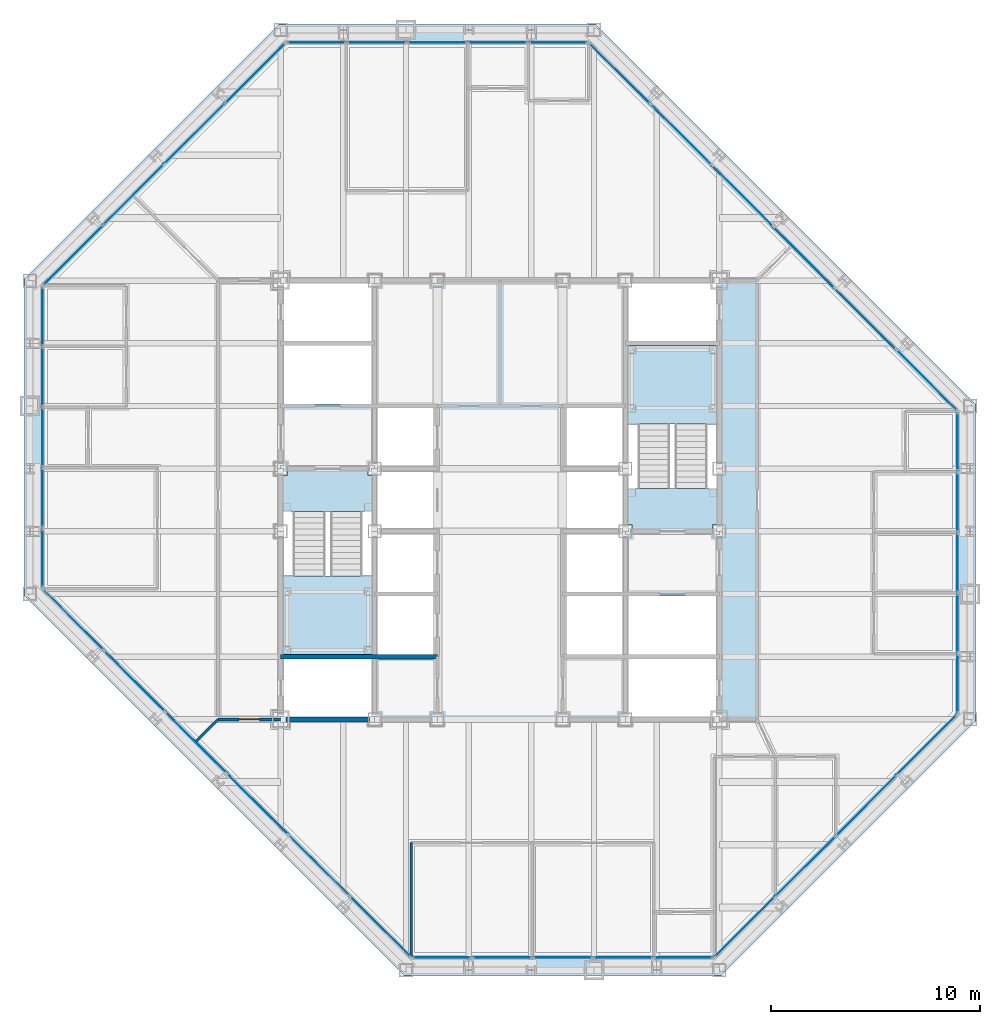
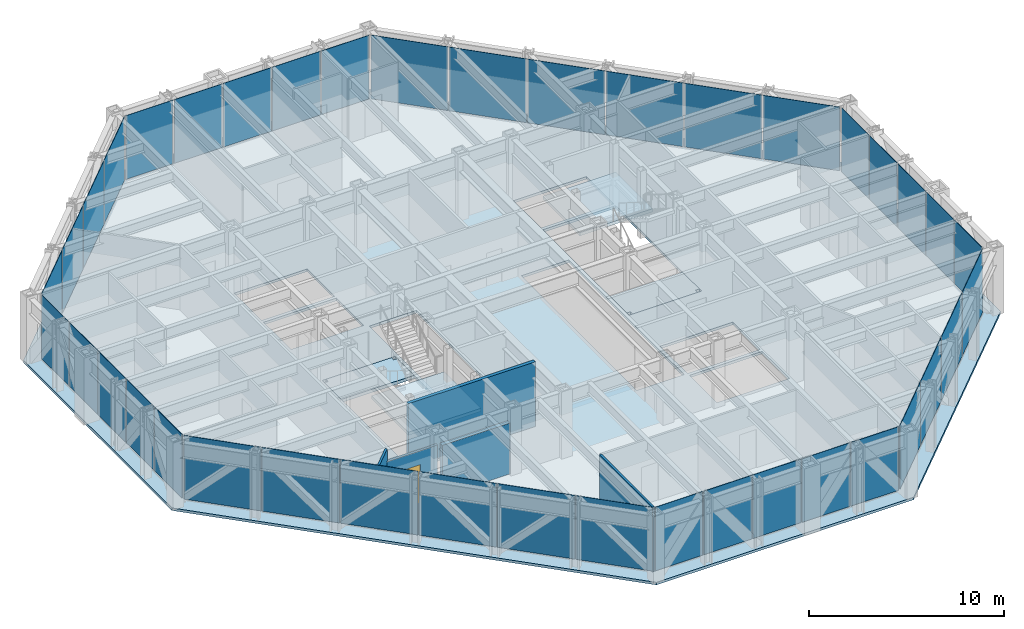
# One storey, part 10 of 16: 40 plates, 5 slabs, 5 walls, 1 door, 1 opening, 10 elements without a shape of their own.
"""IFC4 building model written with IfcOpenShell, lengths in metres."""

from ifc_helpers import new_model, si_unit, direction, frame, frame_2d, origin, origin_2d, place, context, subcontext, project, spatial, polyline, rectangle, outline, extrude, material, layer, layer_set, type_object, element, fill, aggregate, save


model = new_model("IFC4")

# Units and contexts
model_context = context("Model", 3, precision=1e-05, world=origin(), true_north=direction((0.0, 1.0)))
body_context = subcontext(model_context, "Body", "Model", "MODEL_VIEW")
ifc_project = project(units=[si_unit("LENGTHUNIT", "METRE"), si_unit("AREAUNIT", "SQUARE_METRE"), si_unit("VOLUMEUNIT", "CUBIC_METRE"), si_unit("PLANEANGLEUNIT", "RADIAN"), si_unit("MASSUNIT", "GRAM", prefix="KILO")], contexts=[model_context])

# Site, building, storey
site_placement = place(None, origin())
site = spatial("IfcSite", under=ifc_project, at=site_placement, CompositionType="ELEMENT")
building_placement = place(site_placement, origin())
building = spatial("IfcBuilding", under=site, at=building_placement, Name="Chuquiago Exchange Tower", CompositionType="ELEMENT")
storey_placement = place(building_placement, frame((0.0, 0.0, 209.699951171875)))
storey = spatial("IfcBuildingStorey", under=building, at=storey_placement, Name="L46", CompositionType="ELEMENT", Elevation=209.699951171875)

# Curtain wall, plate
ifc_material_1 = material(Name="Aluminium curtain wall system", Category="aluminium")
ifc_layer_1 = layer(ifc_material_1, 0.22509765625)
ifc_layer_set_1 = layer_set([ifc_layer_1], Name="CW2 office curtain wall")
curtain_wall_type_1 = type_object("IfcCurtainWallType", Name="CW2 office curtain wall", PredefinedType="NOTDEFINED", material=ifc_layer_set_1)
curtain_wall_1_placement = place(storey_placement, origin())
curtain_wall_1 = element("IfcCurtainWall", 1, at=curtain_wall_1_placement, inside=storey, type_object=curtain_wall_type_1, Name="CW2 curtain wall L46", PredefinedType="NOTDEFINED")
ifc_material_2 = material(Name="Glass, insulating unit", Category="glass")
ifc_layer_2 = layer(ifc_material_2, 0.030029296875)
ifc_layer_set_2 = layer_set([ifc_layer_2], Name="CW2-P panel 30")
plate_type_1 = type_object("IfcPlateType", Name="CW2-P panel 30", PredefinedType="CURTAIN_PANEL", material=ifc_layer_set_2)
plate_1_placement = place(storey_placement, frame((25.5, 0.60009765625, 0.06494140625), z_axis=(0.0, 0.0, 1.0), x_axis=(1.0, 0.0, 0.0)))
plate_1 = element("IfcPlate", 2, at=plate_1_placement, type_object=plate_type_1, Name="CW2 panel 3.1", PredefinedType="CURTAIN_PANEL", context=body_context, shape_type="SweptSolid", body=[
    extrude(rectangle(XDim=2.835693359375, YDim=0.030029296875, at=origin_2d()), origin(), (0.0, 0.0, 1.0), 3.97509765625),
])

curtain_wall_2_placement = place(storey_placement, origin())
curtain_wall_2 = element("IfcCurtainWall", 3, at=curtain_wall_2_placement, inside=storey, type_object=curtain_wall_type_1, Name="CW2 curtain wall L46", PredefinedType="NOTDEFINED")
plate_2_placement = place(storey_placement, frame((44.39990234375, 19.5, 0.06494140625), z_axis=(0.0, 0.0, 1.0), x_axis=(0.0, 1.0, 0.0)))
plate_2 = element("IfcPlate", 4, at=plate_2_placement, type_object=plate_type_1, Name="CW2 panel 3.1", PredefinedType="CURTAIN_PANEL", context=body_context, shape_type="SweptSolid", body=[
    extrude(rectangle(XDim=2.835693359375, YDim=0.030029296875, at=origin_2d()), origin(), (0.0, 0.0, 1.0), 3.97509765625),
])

curtain_wall_3_placement = place(storey_placement, origin())
curtain_wall_3 = element("IfcCurtainWall", 5, at=curtain_wall_3_placement, inside=storey, type_object=curtain_wall_type_1, Name="CW2 curtain wall L46", PredefinedType="NOTDEFINED")
plate_3_placement = place(storey_placement, frame((19.5, 44.39990234375, 0.06494140625), z_axis=(0.0, 0.0, 1.0), x_axis=(-1.0, 0.0, 0.0)))
plate_3 = element("IfcPlate", 6, at=plate_3_placement, type_object=plate_type_1, Name="CW2 panel 3.1", PredefinedType="CURTAIN_PANEL", context=body_context, shape_type="SweptSolid", body=[
    extrude(rectangle(XDim=2.835693359375, YDim=0.030029296875, at=origin_2d()), origin(), (0.0, 0.0, 1.0), 3.97509765625),
])

curtain_wall_4_placement = place(storey_placement, origin())
curtain_wall_4 = element("IfcCurtainWall", 7, at=curtain_wall_4_placement, inside=storey, type_object=curtain_wall_type_1, Name="CW2 curtain wall L46", PredefinedType="NOTDEFINED")
plate_4_placement = place(storey_placement, frame((0.60009765625, 25.5, 0.06494140625), z_axis=(0.0, 0.0, 1.0), x_axis=(0.0, -1.0, 0.0)))
plate_4 = element("IfcPlate", 8, at=plate_4_placement, type_object=plate_type_1, Name="CW2 panel 3.1", PredefinedType="CURTAIN_PANEL", context=body_context, shape_type="SweptSolid", body=[
    extrude(rectangle(XDim=2.835693359375, YDim=0.030029296875, at=origin_2d()), origin(), (0.0, 0.0, 1.0), 3.97509765625),
])

# Plate
ifc_material_3 = material(Name="Insulated spandrel panel, pale anodised aluminium", Category="aluminium")
ifc_layer_3 = layer(ifc_material_3, 0.030029296875)
ifc_layer_set_3 = layer_set([ifc_layer_3], Name="CW2-P spandrel panel 30")
plate_type_2 = type_object("IfcPlateType", Name="CW2-P spandrel panel 30", PredefinedType="CURTAIN_PANEL", material=ifc_layer_set_3)
plate_5_placement = place(storey_placement, frame((19.715087890625, 0.60009765625, 0.06494140625), z_axis=(0.0, 0.0, 1.0), x_axis=(1.0, 0.0, 0.0)))
plate_5 = element("IfcPlate", 9, at=plate_5_placement, type_object=plate_type_2, Name="CW2 panel 1.1", PredefinedType="CURTAIN_PANEL", context=body_context, shape_type="SweptSolid", body=[
    extrude(rectangle(XDim=2.802978515625, YDim=0.030029296875, at=origin_2d()), origin(), (0.0, 0.0, 1.0), 3.97509765625),
])

plate_6_placement = place(storey_placement, frame((22.599365234375, 0.60009765625, 0.06494140625), z_axis=(0.0, 0.0, 1.0), x_axis=(1.0, 0.0, 0.0)))
plate_6 = element("IfcPlate", 10, at=plate_6_placement, type_object=plate_type_2, Name="CW2 panel 2.1", PredefinedType="CURTAIN_PANEL", context=body_context, shape_type="SweptSolid", body=[
    extrude(rectangle(XDim=2.835693359375, YDim=0.030029296875, at=origin_2d()), origin(), (0.0, 0.0, 1.0), 3.97509765625),
])

plate_7_placement = place(storey_placement, frame((28.400634765625, 0.60009765625, 0.06494140625), z_axis=(0.0, 0.0, 1.0), x_axis=(1.0, 0.0, 0.0)))
plate_7 = element("IfcPlate", 11, at=plate_7_placement, type_object=plate_type_2, Name="CW2 panel 4.1", PredefinedType="CURTAIN_PANEL", context=body_context, shape_type="SweptSolid", body=[
    extrude(rectangle(XDim=2.835693359375, YDim=0.030029296875, at=origin_2d()), origin(), (0.0, 0.0, 1.0), 3.97509765625),
])

plate_8_placement = place(storey_placement, frame((31.284912109375, 0.60009765625, 0.06494140625), z_axis=(0.0, 0.0, 1.0), x_axis=(1.0, 0.0, 0.0)))
plate_8 = element("IfcPlate", 12, at=plate_8_placement, type_object=plate_type_2, Name="CW2 panel 5.1", PredefinedType="CURTAIN_PANEL", context=body_context, shape_type="SweptSolid", body=[
    extrude(rectangle(XDim=2.802978515625, YDim=0.030029296875, at=origin_2d()), origin(), (0.0, 0.0, 1.0), 3.97509765625),
])

aggregate(curtain_wall_1, [plate_5, plate_6, plate_1, plate_7, plate_8])

plate_9_placement = place(storey_placement, frame((44.39990234375, 13.715087890625, 0.06494140625), z_axis=(0.0, 0.0, 1.0), x_axis=(0.0, 1.0, 0.0)))
plate_9 = element("IfcPlate", 13, at=plate_9_placement, type_object=plate_type_2, Name="CW2 panel 1.1", PredefinedType="CURTAIN_PANEL", context=body_context, shape_type="SweptSolid", body=[
    extrude(rectangle(XDim=2.802978515625, YDim=0.030029296875, at=origin_2d()), origin(), (0.0, 0.0, 1.0), 3.97509765625),
])

plate_10_placement = place(storey_placement, frame((44.39990234375, 16.599365234375, 0.06494140625), z_axis=(0.0, 0.0, 1.0), x_axis=(0.0, 1.0, 0.0)))
plate_10 = element("IfcPlate", 14, at=plate_10_placement, type_object=plate_type_2, Name="CW2 panel 2.1", PredefinedType="CURTAIN_PANEL", context=body_context, shape_type="SweptSolid", body=[
    extrude(rectangle(XDim=2.835693359375, YDim=0.030029296875, at=origin_2d()), origin(), (0.0, 0.0, 1.0), 3.97509765625),
])

plate_11_placement = place(storey_placement, frame((44.39990234375, 22.400634765625, 0.06494140625), z_axis=(0.0, 0.0, 1.0), x_axis=(0.0, 1.0, 0.0)))
plate_11 = element("IfcPlate", 15, at=plate_11_placement, type_object=plate_type_2, Name="CW2 panel 4.1", PredefinedType="CURTAIN_PANEL", context=body_context, shape_type="SweptSolid", body=[
    extrude(rectangle(XDim=2.835693359375, YDim=0.030029296875, at=origin_2d()), origin(), (0.0, 0.0, 1.0), 3.97509765625),
])

plate_12_placement = place(storey_placement, frame((44.39990234375, 25.284912109375, 0.06494140625), z_axis=(0.0, 0.0, 1.0), x_axis=(0.0, 1.0, 0.0)))
plate_12 = element("IfcPlate", 16, at=plate_12_placement, type_object=plate_type_2, Name="CW2 panel 5.1", PredefinedType="CURTAIN_PANEL", context=body_context, shape_type="SweptSolid", body=[
    extrude(rectangle(XDim=2.802978515625, YDim=0.030029296875, at=origin_2d()), origin(), (0.0, 0.0, 1.0), 3.97509765625),
])

aggregate(curtain_wall_2, [plate_9, plate_10, plate_2, plate_11, plate_12])

plate_13_placement = place(storey_placement, frame((25.284912109375, 44.39990234375, 0.06494140625), z_axis=(0.0, 0.0, 1.0), x_axis=(-1.0, 0.0, 0.0)))
plate_13 = element("IfcPlate", 17, at=plate_13_placement, type_object=plate_type_2, Name="CW2 panel 1.1", PredefinedType="CURTAIN_PANEL", context=body_context, shape_type="SweptSolid", body=[
    extrude(rectangle(XDim=2.802978515625, YDim=0.030029296875, at=origin_2d()), origin(), (0.0, 0.0, 1.0), 3.97509765625),
])

plate_14_placement = place(storey_placement, frame((22.400634765625, 44.39990234375, 0.06494140625), z_axis=(0.0, 0.0, 1.0), x_axis=(-1.0, 0.0, 0.0)))
plate_14 = element("IfcPlate", 18, at=plate_14_placement, type_object=plate_type_2, Name="CW2 panel 2.1", PredefinedType="CURTAIN_PANEL", context=body_context, shape_type="SweptSolid", body=[
    extrude(rectangle(XDim=2.835693359375, YDim=0.030029296875, at=origin_2d()), origin(), (0.0, 0.0, 1.0), 3.97509765625),
])

plate_15_placement = place(storey_placement, frame((16.599365234375, 44.39990234375, 0.06494140625), z_axis=(0.0, 0.0, 1.0), x_axis=(-1.0, 0.0, 0.0)))
plate_15 = element("IfcPlate", 19, at=plate_15_placement, type_object=plate_type_2, Name="CW2 panel 4.1", PredefinedType="CURTAIN_PANEL", context=body_context, shape_type="SweptSolid", body=[
    extrude(rectangle(XDim=2.835693359375, YDim=0.030029296875, at=origin_2d()), origin(), (0.0, 0.0, 1.0), 3.97509765625),
])

plate_16_placement = place(storey_placement, frame((13.715087890625, 44.39990234375, 0.06494140625), z_axis=(0.0, 0.0, 1.0), x_axis=(-1.0, 0.0, 0.0)))
plate_16 = element("IfcPlate", 20, at=plate_16_placement, type_object=plate_type_2, Name="CW2 panel 5.1", PredefinedType="CURTAIN_PANEL", context=body_context, shape_type="SweptSolid", body=[
    extrude(rectangle(XDim=2.802978515625, YDim=0.030029296875, at=origin_2d()), origin(), (0.0, 0.0, 1.0), 3.97509765625),
])

aggregate(curtain_wall_3, [plate_13, plate_14, plate_3, plate_15, plate_16])

plate_17_placement = place(storey_placement, frame((0.60009765625, 31.284912109375, 0.06494140625), z_axis=(0.0, 0.0, 1.0), x_axis=(0.0, -1.0, 0.0)))
plate_17 = element("IfcPlate", 21, at=plate_17_placement, type_object=plate_type_2, Name="CW2 panel 1.1", PredefinedType="CURTAIN_PANEL", context=body_context, shape_type="SweptSolid", body=[
    extrude(rectangle(XDim=2.802978515625, YDim=0.030029296875, at=origin_2d()), origin(), (0.0, 0.0, 1.0), 3.97509765625),
])

plate_18_placement = place(storey_placement, frame((0.60009765625, 28.400634765625, 0.06494140625), z_axis=(0.0, 0.0, 1.0), x_axis=(0.0, -1.0, 0.0)))
plate_18 = element("IfcPlate", 22, at=plate_18_placement, type_object=plate_type_2, Name="CW2 panel 2.1", PredefinedType="CURTAIN_PANEL", context=body_context, shape_type="SweptSolid", body=[
    extrude(rectangle(XDim=2.835693359375, YDim=0.030029296875, at=origin_2d()), origin(), (0.0, 0.0, 1.0), 3.97509765625),
])

plate_19_placement = place(storey_placement, frame((0.60009765625, 22.599365234375, 0.06494140625), z_axis=(0.0, 0.0, 1.0), x_axis=(0.0, -1.0, 0.0)))
plate_19 = element("IfcPlate", 23, at=plate_19_placement, type_object=plate_type_2, Name="CW2 panel 4.1", PredefinedType="CURTAIN_PANEL", context=body_context, shape_type="SweptSolid", body=[
    extrude(rectangle(XDim=2.835693359375, YDim=0.030029296875, at=origin_2d()), origin(), (0.0, 0.0, 1.0), 3.97509765625),
])

plate_20_placement = place(storey_placement, frame((0.60009765625, 19.715087890625, 0.06494140625), z_axis=(0.0, 0.0, 1.0), x_axis=(0.0, -1.0, 0.0)))
plate_20 = element("IfcPlate", 24, at=plate_20_placement, type_object=plate_type_2, Name="CW2 panel 5.1", PredefinedType="CURTAIN_PANEL", context=body_context, shape_type="SweptSolid", body=[
    extrude(rectangle(XDim=2.802978515625, YDim=0.030029296875, at=origin_2d()), origin(), (0.0, 0.0, 1.0), 3.97509765625),
])

aggregate(curtain_wall_4, [plate_17, plate_18, plate_4, plate_19, plate_20])

# Curtain wall, plates
ifc_material_4 = material(Name="Aluminium curtain wall system", Category="aluminium")
ifc_layer_4 = layer(ifc_material_4, 0.199951171875)
ifc_layer_set_4 = layer_set([ifc_layer_4], Name="CW3 facet curtain wall")
curtain_wall_type_2 = type_object("IfcCurtainWallType", Name="CW3 facet curtain wall", PredefinedType="NOTDEFINED", material=ifc_layer_set_4)
curtain_wall_5_placement = place(storey_placement, origin())
curtain_wall_5 = element("IfcCurtainWall", 25, at=curtain_wall_5_placement, inside=storey, type_object=curtain_wall_type_2, Name="CW3 curtain wall L46", PredefinedType="NOTDEFINED")
ifc_material_5 = material(Name="Insulated spandrel panel, pale anodised aluminium", Category="aluminium")
ifc_layer_5 = layer(ifc_material_5, 0.030029296875)
ifc_layer_set_5 = layer_set([ifc_layer_5], Name="CW3-P spandrel panel 30")
plate_type_3 = type_object("IfcPlateType", Name="CW3-P spandrel panel 30", PredefinedType="CURTAIN_PANEL", material=ifc_layer_set_5)
plate_21_placement = place(storey_placement, frame((34.218994140625, 2.067626953125, 0.06494140625), z_axis=(0.0, 0.0, 1.0), x_axis=(0.707106781187, 0.707106781187, 0.0)))
plate_21 = element("IfcPlate", 26, at=plate_21_placement, type_object=plate_type_3, Name="CW3 panel 1.1", PredefinedType="CURTAIN_PANEL", context=body_context, shape_type="SweptSolid", body=[
    extrude(rectangle(XDim=4.020751953125, YDim=0.030029296875, at=origin_2d()), origin(), (0.0, 0.0, 1.0), 3.97509765625),
])
plate_22_placement = place(storey_placement, frame((37.11962890625, 4.96826171875, 0.06494140625), z_axis=(0.0, 0.0, 1.0), x_axis=(0.707106781187, 0.707106781187, 0.0)))
plate_22 = element("IfcPlate", 27, at=plate_22_placement, type_object=plate_type_3, Name="CW3 panel 2.1", PredefinedType="CURTAIN_PANEL", context=body_context, shape_type="SweptSolid", body=[
    extrude(rectangle(XDim=4.053466796875, YDim=0.030029296875, at=origin_2d()), origin(), (0.0, 0.0, 1.0), 3.97509765625),
])
plate_23_placement = place(storey_placement, frame((40.03173828125, 7.88037109375, 0.06494140625), z_axis=(0.0, 0.0, 1.0), x_axis=(0.707106781187, 0.707106781187, 0.0)))
plate_23 = element("IfcPlate", 28, at=plate_23_placement, type_object=plate_type_3, Name="CW3 panel 3.1", PredefinedType="CURTAIN_PANEL", context=body_context, shape_type="SweptSolid", body=[
    extrude(rectangle(XDim=4.053466796875, YDim=0.030029296875, at=origin_2d()), origin(), (0.0, 0.0, 1.0), 3.97509765625),
])
plate_24_placement = place(storey_placement, frame((42.932373046875, 10.781005859375, 0.06494140625), z_axis=(0.0, 0.0, 1.0), x_axis=(0.707106781187, 0.707106781187, 0.0)))
plate_24 = element("IfcPlate", 29, at=plate_24_placement, type_object=plate_type_3, Name="CW3 panel 4.1", PredefinedType="CURTAIN_PANEL", context=body_context, shape_type="SweptSolid", body=[
    extrude(rectangle(XDim=4.020751953125, YDim=0.030029296875, at=origin_2d()), origin(), (0.0, 0.0, 1.0), 3.97509765625),
])
aggregate(curtain_wall_5, [plate_21, plate_22, plate_23, plate_24])

curtain_wall_6_placement = place(storey_placement, origin())
curtain_wall_6 = element("IfcCurtainWall", 30, at=curtain_wall_6_placement, inside=storey, type_object=curtain_wall_type_2, Name="CW3 curtain wall L46", PredefinedType="NOTDEFINED")
plate_25_placement = place(storey_placement, frame((42.917724609375, 28.233642578125, 0.06494140625), z_axis=(0.0, 0.0, 1.0), x_axis=(-0.707106781187, 0.707106781187, 0.0)))
plate_25 = element("IfcPlate", 31, at=plate_25_placement, type_object=plate_type_3, Name="CW3 panel 1.1", PredefinedType="CURTAIN_PANEL", context=body_context, shape_type="SweptSolid", body=[
    extrude(rectangle(XDim=4.062255859375, YDim=0.030029296875, at=origin_2d()), origin(), (0.0, 0.0, 1.0), 3.97509765625),
])
plate_26_placement = place(storey_placement, frame((39.98779296875, 31.16357421875, 0.06494140625), z_axis=(0.0, 0.0, 1.0), x_axis=(-0.707106781187, 0.707106781187, 0.0)))
plate_26 = element("IfcPlate", 32, at=plate_26_placement, type_object=plate_type_3, Name="CW3 panel 2.1", PredefinedType="CURTAIN_PANEL", context=body_context, shape_type="SweptSolid", body=[
    extrude(rectangle(XDim=4.0947265625, YDim=0.030029296875, at=origin_2d()), origin(), (0.0, 0.0, 1.0), 3.97509765625),
])
plate_27_placement = place(storey_placement, frame((37.04638671875, 34.10498046875, 0.06494140625), z_axis=(0.0, 0.0, 1.0), x_axis=(-0.707106781187, 0.707106781187, 0.0)))
plate_27 = element("IfcPlate", 33, at=plate_27_placement, type_object=plate_type_3, Name="CW3 panel 3.1", PredefinedType="CURTAIN_PANEL", context=body_context, shape_type="SweptSolid", body=[
    extrude(rectangle(XDim=4.0947265625, YDim=0.030029296875, at=origin_2d()), origin(), (0.0, 0.0, 1.0), 3.97509765625),
])
plate_28_placement = place(storey_placement, frame((34.10498046875, 37.04638671875, 0.06494140625), z_axis=(0.0, 0.0, 1.0), x_axis=(-0.707106781187, 0.707106781187, 0.0)))
plate_28 = element("IfcPlate", 34, at=plate_28_placement, type_object=plate_type_3, Name="CW3 panel 4.1", PredefinedType="CURTAIN_PANEL", context=body_context, shape_type="SweptSolid", body=[
    extrude(rectangle(XDim=4.0947265625, YDim=0.030029296875, at=origin_2d()), origin(), (0.0, 0.0, 1.0), 3.97509765625),
])
plate_29_placement = place(storey_placement, frame((31.16357421875, 39.98779296875, 0.06494140625), z_axis=(0.0, 0.0, 1.0), x_axis=(-0.707106781187, 0.707106781187, 0.0)))
plate_29 = element("IfcPlate", 35, at=plate_29_placement, type_object=plate_type_3, Name="CW3 panel 5.1", PredefinedType="CURTAIN_PANEL", context=body_context, shape_type="SweptSolid", body=[
    extrude(rectangle(XDim=4.0947265625, YDim=0.030029296875, at=origin_2d()), origin(), (0.0, 0.0, 1.0), 3.97509765625),
])
plate_30_placement = place(storey_placement, frame((28.233642578125, 42.917724609375, 0.06494140625), z_axis=(0.0, 0.0, 1.0), x_axis=(-0.707106781187, 0.707106781187, 0.0)))
plate_30 = element("IfcPlate", 36, at=plate_30_placement, type_object=plate_type_3, Name="CW3 panel 6.1", PredefinedType="CURTAIN_PANEL", context=body_context, shape_type="SweptSolid", body=[
    extrude(rectangle(XDim=4.062255859375, YDim=0.030029296875, at=origin_2d()), origin(), (0.0, 0.0, 1.0), 3.97509765625),
])
aggregate(curtain_wall_6, [plate_25, plate_26, plate_27, plate_28, plate_29, plate_30])

curtain_wall_7_placement = place(storey_placement, origin())
curtain_wall_7 = element("IfcCurtainWall", 37, at=curtain_wall_7_placement, inside=storey, type_object=curtain_wall_type_2, Name="CW3 curtain wall L46", PredefinedType="NOTDEFINED")
plate_31_placement = place(storey_placement, frame((10.781005859375, 42.932373046875, 0.06494140625), z_axis=(0.0, 0.0, 1.0), x_axis=(-0.707106781187, -0.707106781187, 0.0)))
plate_31 = element("IfcPlate", 38, at=plate_31_placement, type_object=plate_type_3, Name="CW3 panel 1.1", PredefinedType="CURTAIN_PANEL", context=body_context, shape_type="SweptSolid", body=[
    extrude(rectangle(XDim=4.020751953125, YDim=0.030029296875, at=origin_2d()), origin(), (0.0, 0.0, 1.0), 3.97509765625),
])
plate_32_placement = place(storey_placement, frame((7.88037109375, 40.03173828125, 0.06494140625), z_axis=(0.0, 0.0, 1.0), x_axis=(-0.707106781187, -0.707106781187, 0.0)))
plate_32 = element("IfcPlate", 39, at=plate_32_placement, type_object=plate_type_3, Name="CW3 panel 2.1", PredefinedType="CURTAIN_PANEL", context=body_context, shape_type="SweptSolid", body=[
    extrude(rectangle(XDim=4.053466796875, YDim=0.030029296875, at=origin_2d()), origin(), (0.0, 0.0, 1.0), 3.97509765625),
])
plate_33_placement = place(storey_placement, frame((4.96826171875, 37.11962890625, 0.06494140625), z_axis=(0.0, 0.0, 1.0), x_axis=(-0.707106781187, -0.707106781187, 0.0)))
plate_33 = element("IfcPlate", 40, at=plate_33_placement, type_object=plate_type_3, Name="CW3 panel 3.1", PredefinedType="CURTAIN_PANEL", context=body_context, shape_type="SweptSolid", body=[
    extrude(rectangle(XDim=4.053466796875, YDim=0.030029296875, at=origin_2d()), origin(), (0.0, 0.0, 1.0), 3.97509765625),
])
plate_34_placement = place(storey_placement, frame((2.067626953125, 34.218994140625, 0.06494140625), z_axis=(0.0, 0.0, 1.0), x_axis=(-0.707106781187, -0.707106781187, 0.0)))
plate_34 = element("IfcPlate", 41, at=plate_34_placement, type_object=plate_type_3, Name="CW3 panel 4.1", PredefinedType="CURTAIN_PANEL", context=body_context, shape_type="SweptSolid", body=[
    extrude(rectangle(XDim=4.020751953125, YDim=0.030029296875, at=origin_2d()), origin(), (0.0, 0.0, 1.0), 3.97509765625),
])
aggregate(curtain_wall_7, [plate_31, plate_32, plate_33, plate_34])

curtain_wall_8_placement = place(storey_placement, origin())
curtain_wall_8 = element("IfcCurtainWall", 42, at=curtain_wall_8_placement, inside=storey, type_object=curtain_wall_type_2, Name="CW3 curtain wall L46", PredefinedType="NOTDEFINED")
plate_35_placement = place(storey_placement, frame((2.082275390625, 16.766357421875, 0.06494140625), z_axis=(0.0, 0.0, 1.0), x_axis=(0.707106781187, -0.707106781187, 0.0)))
plate_35 = element("IfcPlate", 43, at=plate_35_placement, type_object=plate_type_3, Name="CW3 panel 1.1", PredefinedType="CURTAIN_PANEL", context=body_context, shape_type="SweptSolid", body=[
    extrude(rectangle(XDim=4.062255859375, YDim=0.030029296875, at=origin_2d()), origin(), (0.0, 0.0, 1.0), 3.97509765625),
])
plate_36_placement = place(storey_placement, frame((5.01220703125, 13.83642578125, 0.06494140625), z_axis=(0.0, 0.0, 1.0), x_axis=(0.707106781187, -0.707106781187, 0.0)))
plate_36 = element("IfcPlate", 44, at=plate_36_placement, type_object=plate_type_3, Name="CW3 panel 2.1", PredefinedType="CURTAIN_PANEL", context=body_context, shape_type="SweptSolid", body=[
    extrude(rectangle(XDim=4.0947265625, YDim=0.030029296875, at=origin_2d()), origin(), (0.0, 0.0, 1.0), 3.97509765625),
])
plate_37_placement = place(storey_placement, frame((7.95361328125, 10.89501953125, 0.06494140625), z_axis=(0.0, 0.0, 1.0), x_axis=(0.707106781187, -0.707106781187, 0.0)))
plate_37 = element("IfcPlate", 45, at=plate_37_placement, type_object=plate_type_3, Name="CW3 panel 3.1", PredefinedType="CURTAIN_PANEL", context=body_context, shape_type="SweptSolid", body=[
    extrude(rectangle(XDim=4.0947265625, YDim=0.030029296875, at=origin_2d()), origin(), (0.0, 0.0, 1.0), 3.97509765625),
])
plate_38_placement = place(storey_placement, frame((10.89501953125, 7.95361328125, 0.06494140625), z_axis=(0.0, 0.0, 1.0), x_axis=(0.707106781187, -0.707106781187, 0.0)))
plate_38 = element("IfcPlate", 46, at=plate_38_placement, type_object=plate_type_3, Name="CW3 panel 4.1", PredefinedType="CURTAIN_PANEL", context=body_context, shape_type="SweptSolid", body=[
    extrude(rectangle(XDim=4.0947265625, YDim=0.030029296875, at=origin_2d()), origin(), (0.0, 0.0, 1.0), 3.97509765625),
])
plate_39_placement = place(storey_placement, frame((13.83642578125, 5.01220703125, 0.06494140625), z_axis=(0.0, 0.0, 1.0), x_axis=(0.707106781187, -0.707106781187, 0.0)))
plate_39 = element("IfcPlate", 47, at=plate_39_placement, type_object=plate_type_3, Name="CW3 panel 5.1", PredefinedType="CURTAIN_PANEL", context=body_context, shape_type="SweptSolid", body=[
    extrude(rectangle(XDim=4.0947265625, YDim=0.030029296875, at=origin_2d()), origin(), (0.0, 0.0, 1.0), 3.97509765625),
])
plate_40_placement = place(storey_placement, frame((16.766357421875, 2.082275390625, 0.06494140625), z_axis=(0.0, 0.0, 1.0), x_axis=(0.707106781187, -0.707106781187, 0.0)))
plate_40 = element("IfcPlate", 48, at=plate_40_placement, type_object=plate_type_3, Name="CW3 panel 6.1", PredefinedType="CURTAIN_PANEL", context=body_context, shape_type="SweptSolid", body=[
    extrude(rectangle(XDim=4.062255859375, YDim=0.030029296875, at=origin_2d()), origin(), (0.0, 0.0, 1.0), 3.97509765625),
])
aggregate(curtain_wall_8, [plate_35, plate_36, plate_37, plate_38, plate_39, plate_40])

# Slab
ifc_material_6 = material(Name="Concrete C30/37", Category="concrete")
ifc_layer_6 = layer(ifc_material_6, 0.159912109375)
ifc_layer_set_6 = layer_set([ifc_layer_6], Name="FS1 composite floor 160")
slab_type_1 = type_object("IfcSlabType", Name="FS1 composite floor 160", PredefinedType="FLOOR", material=ifc_layer_set_6)
slab_1_placement = place(storey_placement, frame((0.0, 0.0, -0.159912109375)))
element("IfcSlab", 49, at=slab_1_placement, inside=storey, type_object=slab_type_1, Name="L46 floor slab", PredefinedType="FLOOR", context=body_context, shape_type="SweptSolid", body=[
    extrude(outline(polyline([(17.896484375, -0.25), (-0.25, 17.896484375), (-0.25, 33.103515625), (11.896484375, 45.25), (27.103515625, 45.25), (45.25, 27.103515625), (45.25, 11.896484375), (33.103515625, -0.25), (17.896484375, -0.25)]), holes=[polyline([(16.39990234375, 15.10009765625), (12.10009765625, 15.10009765625), (12.10009765625, 23.89990234375), (16.39990234375, 23.89990234375), (16.39990234375, 15.10009765625)]), polyline([(32.89990234375, 21.10009765625), (28.60009765625, 21.10009765625), (28.60009765625, 29.89990234375), (32.89990234375, 29.89990234375), (32.89990234375, 21.10009765625)]), polyline([(16.39990234375, 12.10009765625), (12.10009765625, 12.10009765625), (12.10009765625, 14.89990234375), (16.39990234375, 14.89990234375), (16.39990234375, 12.10009765625)]), polyline([(16.39990234375, 30.10009765625), (12.10009765625, 30.10009765625), (12.10009765625, 32.89990234375), (16.39990234375, 32.89990234375), (16.39990234375, 30.10009765625)]), polyline([(32.89990234375, 12.10009765625), (28.60009765625, 12.10009765625), (28.60009765625, 14.89990234375), (32.89990234375, 14.89990234375), (32.89990234375, 12.10009765625)]), polyline([(32.89990234375, 30.10009765625), (28.60009765625, 30.10009765625), (28.60009765625, 32.89990234375), (32.89990234375, 32.89990234375), (32.89990234375, 30.10009765625)]), polyline([(16.39990234375, 27.10009765625), (12.10009765625, 27.10009765625), (12.10009765625, 29.89990234375), (16.39990234375, 29.89990234375), (16.39990234375, 27.10009765625)]), polyline([(32.89990234375, 15.10009765625), (28.60009765625, 15.10009765625), (28.60009765625, 17.89990234375), (32.89990234375, 17.89990234375), (32.89990234375, 15.10009765625)]), polyline([(19.39990234375, 15.10009765625), (16.60009765625, 15.10009765625), (16.60009765625, 26.89990234375), (19.39990234375, 26.89990234375), (19.39990234375, 15.10009765625)]), polyline([(28.39990234375, 15.10009765625), (25.60009765625, 15.10009765625), (25.60009765625, 26.89990234375), (28.39990234375, 26.89990234375), (28.39990234375, 15.10009765625)])]), origin(), (0.0, 0.0, 1.0), 0.159912109375),
])

# Stair, slabs
ifc_material_7 = material(Name="Concrete C30/37, precast", Category="concrete")
stair_type_1 = type_object("IfcStairType", Name="ST1 half-turn stair 4200", PredefinedType="HALF_TURN_STAIR", material=ifc_material_7)
stair_1_placement = place(storey_placement, origin())
stair_1 = element("IfcStair", 50, at=stair_1_placement, inside=storey, type_object=stair_type_1, Name="Stair ST1 L46", PredefinedType="HALF_TURN_STAIR")
ifc_material_8 = material(Name="Concrete C30/37, precast", Category="concrete")
ifc_layer_7 = layer(ifc_material_8, 0.199951171875)
ifc_layer_set_7 = layer_set([ifc_layer_7], Name="ST-L landing 200")
slab_type_2 = type_object("IfcSlabType", Name="ST-L landing 200", PredefinedType="LANDING", material=ifc_layer_set_7)
slab_2_placement = place(storey_placement, frame((0.0, 0.0, -0.199951171875)))
slab_2 = element("IfcSlab", 51, at=slab_2_placement, type_object=slab_type_2, Name="ST1 landing 1", PredefinedType="LANDING", context=body_context, shape_type="SweptSolid", body=[
    extrude(outline(polyline([(12.324951171875, 23.89990234375), (16.175048828125, 23.89990234375), (16.175048828125, 23.675048828125), (16.39990234375, 23.675048828125), (16.39990234375, 21.949951171875), (12.10009765625, 21.949951171875), (12.10009765625, 23.675048828125), (12.324951171875, 23.675048828125), (12.324951171875, 23.89990234375)])), origin(), (0.0, 0.0, 1.0), 0.199951171875),
])
slab_3_placement = place(storey_placement, frame((0.0, 0.0, 1.900146484375)))
slab_3 = element("IfcSlab", 52, at=slab_3_placement, type_object=slab_type_2, Name="ST1 landing 2", PredefinedType="LANDING", context=body_context, shape_type="SweptSolid", body=[
    extrude(outline(polyline([(12.10009765625, 18.8701171875), (16.39990234375, 18.8701171875), (16.39990234375, 15.10009765625), (12.10009765625, 15.10009765625), (12.10009765625, 18.8701171875)])), origin(), (0.0, 0.0, 1.0), 0.199951171875),
])
aggregate(stair_1, [slab_2, slab_3])

ifc_material_9 = material(Name="Concrete C30/37, precast", Category="concrete")
stair_type_2 = type_object("IfcStairType", Name="ST2 half-turn stair 4200", PredefinedType="HALF_TURN_STAIR", material=ifc_material_9)
stair_2_placement = place(storey_placement, origin())
stair_2 = element("IfcStair", 53, at=stair_2_placement, inside=storey, type_object=stair_type_2, Name="Stair ST2 L46", PredefinedType="HALF_TURN_STAIR")
slab_4_placement = place(storey_placement, frame((0.0, 0.0, -0.199951171875)))
slab_4 = element("IfcSlab", 54, at=slab_4_placement, type_object=slab_type_2, Name="ST2 landing 1", PredefinedType="LANDING", context=body_context, shape_type="SweptSolid", body=[
    extrude(outline(polyline([(32.675048828125, 21.324951171875), (32.675048828125, 21.10009765625), (28.824951171875, 21.10009765625), (28.824951171875, 21.324951171875), (28.60009765625, 21.324951171875), (28.60009765625, 23.050048828125), (32.89990234375, 23.050048828125), (32.89990234375, 21.324951171875), (32.675048828125, 21.324951171875)])), origin(), (0.0, 0.0, 1.0), 0.199951171875),
])
slab_5_placement = place(storey_placement, frame((0.0, 0.0, 1.900146484375)))
slab_5 = element("IfcSlab", 55, at=slab_5_placement, type_object=slab_type_2, Name="ST2 landing 2", PredefinedType="LANDING", context=body_context, shape_type="SweptSolid", body=[
    extrude(outline(polyline([(28.60009765625, 29.89990234375), (32.89990234375, 29.89990234375), (32.89990234375, 26.1298828125), (28.60009765625, 26.1298828125), (28.60009765625, 29.89990234375)])), origin(), (0.0, 0.0, 1.0), 0.199951171875),
])
aggregate(stair_2, [slab_4, slab_5])

# Wall
ifc_material_10 = material(Name="Concrete masonry, fully grouted", Category="masonry")
ifc_layer_8 = layer(ifc_material_10, 0.25)
ifc_layer_set_8 = layer_set([ifc_layer_8], Name="W1 core wall 250")
wall_type_1 = type_object("IfcWallType", Name="W1 core wall 250", PredefinedType="SOLIDWALL", material=ifc_layer_set_8)
wall_1_placement = place(storey_placement, frame((12.25, 12.0, 0.0), z_axis=(0.0, 0.0, 1.0), x_axis=(1.0, 0.0, 0.0)))
element("IfcWall", 56, at=wall_1_placement, inside=storey, type_object=wall_type_1, Name="CW-L46-01-0", PredefinedType="SOLIDWALL", context=body_context, shape_type="SweptSolid", body=[
    extrude(rectangle(XDim=4.0, YDim=0.25, at=frame_2d((2.0, 0.0))), origin(), (0.0, 0.0, 1.0), 3.181640625),
])

# Wall, opening, door
ifc_material_11 = material(Name="Gypsum board on steel studs, acoustic insulation", Category="steel")
ifc_layer_9 = layer(ifc_material_11, 0.14990234375)
ifc_layer_set_9 = layer_set([ifc_layer_9], Name="W11 corridor wall 150")
wall_type_2 = type_object("IfcWallType", Name="W11 corridor wall 150", PredefinedType="PARTITIONING", material=ifc_layer_set_9)
wall_2_placement = place(storey_placement, frame((9.0, 12.0, 0.0), z_axis=(0.0, 0.0, 1.0), x_axis=(1.0, 0.0, 0.0)))
wall_2 = element("IfcWall", 57, at=wall_2_placement, inside=storey, type_object=wall_type_2, Name="PW-L46-GWS0", PredefinedType="PARTITIONING", context=body_context, shape_type="SweptSolid", body=[
    extrude(rectangle(XDim=3.0, YDim=0.14990234375, at=frame_2d((1.5, 0.0))), origin(), (0.0, 0.0, 1.0), 3.2705078125),
])
opening_placement = place(wall_2_placement, frame((1.0, 0.0, 0.0)))
opening = element("IfcOpeningElement", 58, at=opening_placement, cuts=wall_2, Name="Opening L46-037", PredefinedType="OPENING", context=body_context, shape_type="SweptSolid", body=[
    extrude(rectangle(XDim=1.0, YDim=2.39990234375, at=frame_2d((0.5, 1.199951171875))), frame((0.0, 0.0849609375, 0.0), z_axis=(0.0, -1.0, 0.0), x_axis=(1.0, 0.0, 0.0)), (0.0, 0.0, 1.0), 0.169921875),
])
ifc_material_12 = material(Name="Timber door, laminate faced", Category="wood")
door_type = type_object("IfcDoorType", Name="D9 room door 1000x2400", OperationType="SINGLE_SWING_LEFT", PredefinedType="DOOR", material=ifc_material_12)
door_placement = place(opening_placement, frame((1.0, 0.0, 0.0), z_axis=(0.0, 0.0, 1.0), x_axis=(-1.0, 0.0, 0.0)))
door = element("IfcDoor", 59, at=door_placement, inside=storey, type_object=door_type, Name="Team area door", OperationType="SINGLE_SWING_LEFT", OverallHeight=2.39990234375, OverallWidth=1.0, PredefinedType="DOOR", context=body_context, shape_type="SweptSolid", body=[
    extrude(rectangle(XDim=1.0, YDim=2.39990234375, at=frame_2d((0.5, 1.199951171875))), frame((0.0, 0.02490234375, 0.0), z_axis=(0.0, -1.0, 0.0), x_axis=(1.0, 0.0, 0.0)), (0.0, 0.0, 1.0), 0.050048828125),
])
fill(opening, door)

# Walls
ifc_material_13 = material(Name="Concrete masonry, fully grouted", Category="masonry")
ifc_layer_10 = layer(ifc_material_13, 0.199951171875)
ifc_layer_set_10 = layer_set([ifc_layer_10], Name="W2 shaft wall 200")
wall_type_3 = type_object("IfcWallType", Name="W2 shaft wall 200", PredefinedType="SOLIDWALL", material=ifc_layer_set_10)
wall_3_placement = place(storey_placement, frame((12.0, 15.0, 0.0), z_axis=(0.0, 0.0, 1.0), x_axis=(1.0, 0.0, 0.0)))
element("IfcWall", 60, at=wall_3_placement, inside=storey, type_object=wall_type_3, Name="CW-L46-03-0", PredefinedType="SOLIDWALL", context=body_context, shape_type="SweptSolid", body=[
    extrude(rectangle(XDim=7.5, YDim=0.199951171875, at=frame_2d((3.75, 0.0))), origin(), (0.0, 0.0, 1.0), 4.0400390625),
])
ifc_material_14 = material(Name="Gypsum board on steel studs", Category="steel")
ifc_layer_11 = layer(ifc_material_14, 0.1201171875)
ifc_layer_set_11 = layer_set([ifc_layer_11], Name="W4 partition 120")
wall_type_4 = type_object("IfcWallType", Name="W4 partition 120", PredefinedType="PARTITIONING", material=ifc_layer_set_11)
wall_4_placement = place(storey_placement, frame((18.24853515625, 0.666015625, 0.0), z_axis=(0.0, 0.0, 1.0), x_axis=(0.0, 1.0, 0.0)))
element("IfcWall", 61, at=wall_4_placement, inside=storey, type_object=wall_type_4, Name="PW-L46-S01825", PredefinedType="PARTITIONING", context=body_context, shape_type="SweptSolid", body=[
    extrude(rectangle(XDim=5.43408203125, YDim=0.1201171875, at=frame_2d((2.717041015625, 0.0))), origin(), (0.0, 0.0, 1.0), 4.0400390625),
])
wall_5_placement = place(storey_placement, frame((9.0, 12.0, 0.0), z_axis=(0.0, 0.0, 1.0), x_axis=(-0.707106781187, -0.707106781187, 0.0)))
element("IfcWall", 62, at=wall_5_placement, inside=storey, type_object=wall_type_4, Name="PW-L46-QSW", PredefinedType="PARTITIONING", context=body_context, shape_type="SweptSolid", body=[
    extrude(rectangle(XDim=1.4892578125, YDim=0.1201171875, at=frame_2d((0.74462890625, 0.0))), origin(), (0.0, 0.0, 1.0), 4.0400390625),
])

save(model, "model.ifc")
